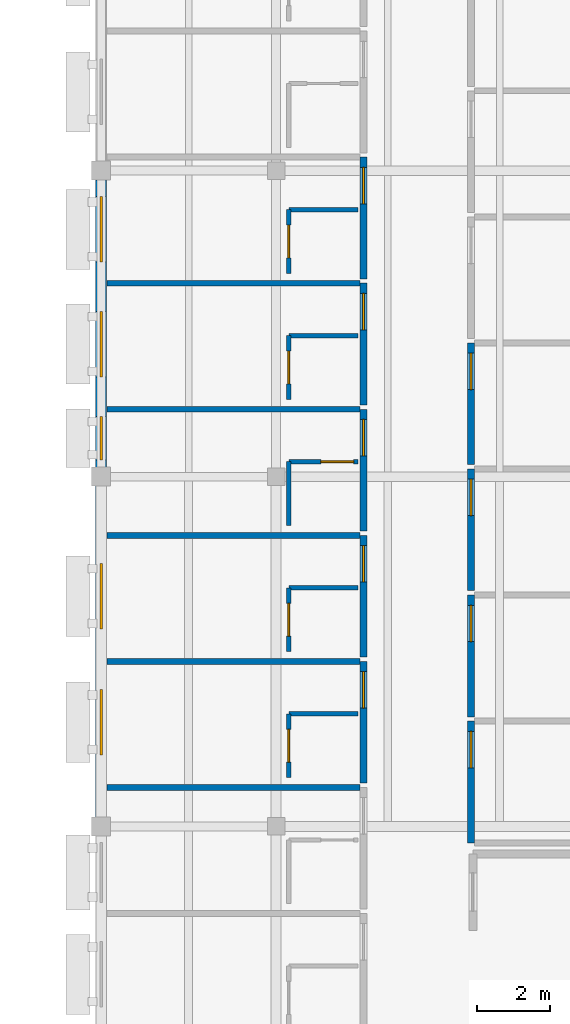
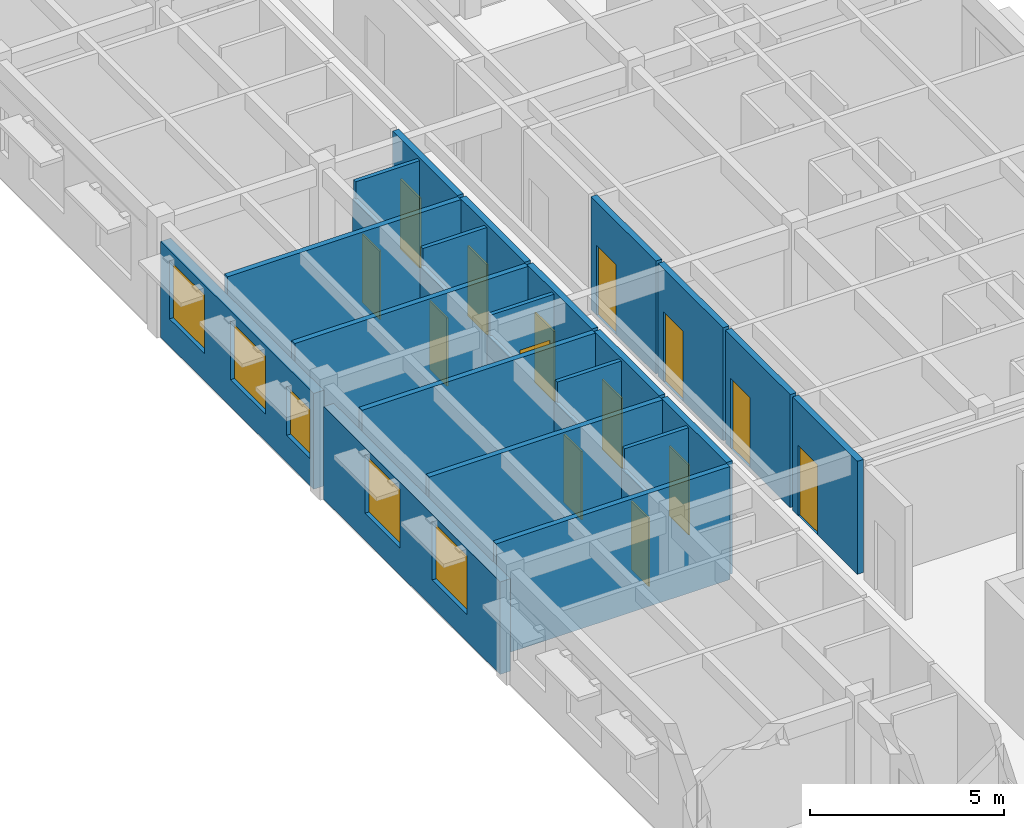
# One storey, part 10 of 20: 26 walls, 14 doors, 5 windows, 19 openings.
"""IFC4 building model written with IfcOpenShell, lengths in metres."""

from ifc_helpers import new_model, si_unit, direction, frame, frame_2d, origin, place, context, subcontext, project, spatial, rectangle, extrude, material, layer, layer_set, type_object, element, fill, save


model = new_model("IFC4")

# Units and contexts
model_context = context("Model", 3, precision=1e-05, world=origin(), true_north=direction((0.0, 1.0)))
body_context = subcontext(model_context, "Body", "Model", "MODEL_VIEW")
ifc_project = project(units=[si_unit("LENGTHUNIT", "METRE"), si_unit("AREAUNIT", "SQUARE_METRE"), si_unit("VOLUMEUNIT", "CUBIC_METRE"), si_unit("PLANEANGLEUNIT", "RADIAN"), si_unit("MASSUNIT", "GRAM", prefix="KILO")], contexts=[model_context])

# Site, building, storey
site_placement = place(None, origin())
site = spatial("IfcSite", under=ifc_project, at=site_placement, CompositionType="ELEMENT")
building_placement = place(site_placement, origin())
building = spatial("IfcBuilding", under=site, at=building_placement, Name="Veldera Park Congress Hotel", CompositionType="ELEMENT")
storey_placement = place(building_placement, frame((0.0, 0.0, 27.60009765625)))
storey = spatial("IfcBuildingStorey", under=building, at=storey_placement, Name="L06", CompositionType="ELEMENT", Elevation=27.60009765625)

# Wall, openings, windows
ifc_material_1 = material(Name="Cross-laminated timber CLT V2M1.1", Category="wood")
ifc_layer_1 = layer(ifc_material_1, 0.300048828125)
ifc_layer_set_1 = layer_set([ifc_layer_1], Name="Cross-laminated timber CLT V2M1.1")
wall_type_1 = type_object("IfcWallType", Name="EW-CLT300", PredefinedType="STANDARD", material=ifc_layer_set_1)
wall_1_placement = place(storey_placement, frame((60.800048828125, 18.342041015625, 0.0), z_axis=(0.0, 0.0, 1.0), x_axis=(0.0, -1.0, 0.0)))
wall_1 = element("IfcWall", 1, at=wall_1_placement, inside=storey, type_object=wall_type_1, Name="L06 Exterior Wall EW3-L06-0333", PredefinedType="STANDARD", context=body_context, shape_type="SweptSolid", body=[
    extrude(rectangle(XDim=7.884033203125, YDim=0.300048828125, at=frame_2d((3.94189453125, 0.0))), origin(), (0.0, 0.0, 1.0), 3.010009765625),
])
opening_1_placement = place(wall_1_placement, frame((6.488037109375, 0.0, 0.85009765625)))
opening_1 = element("IfcOpeningElement", 2, at=opening_1_placement, cuts=wall_1, Name="Opening WIN-1200", PredefinedType="OPENING", context=body_context, shape_type="SweptSolid", body=[
    extrude(rectangle(XDim=1.199951171875, YDim=1.550048828125, at=frame_2d((0.60009765625, 0.77490234375))), frame((0.0, 0.162109375, 0.0), z_axis=(0.0, -1.0, 0.0), x_axis=(1.0, 0.0, 0.0)), (0.0, 0.0, 1.0), 0.323974609375),
])
opening_2_placement = place(wall_1_placement, frame((3.60205078125, 0.0, 0.85009765625)))
opening_2 = element("IfcOpeningElement", 3, at=opening_2_placement, cuts=wall_1, Name="Opening WIN-1800", PredefinedType="OPENING", context=body_context, shape_type="SweptSolid", body=[
    extrude(rectangle(XDim=1.800048828125, YDim=1.85009765625, at=frame_2d((0.89990234375, 0.925048828125))), frame((0.0, 0.162109375, 0.0), z_axis=(0.0, -1.0, 0.0), x_axis=(1.0, 0.0, 0.0)), (0.0, 0.0, 1.0), 0.323974609375),
])
opening_3_placement = place(wall_1_placement, frame((0.4560546875, 0.0, 0.85009765625)))
opening_3 = element("IfcOpeningElement", 4, at=opening_3_placement, cuts=wall_1, Name="Opening WIN-1800", PredefinedType="OPENING", context=body_context, shape_type="SweptSolid", body=[
    extrude(rectangle(XDim=1.800048828125, YDim=1.85009765625, at=frame_2d((0.89990234375, 0.925048828125))), frame((0.0, 0.162109375, 0.0), z_axis=(0.0, -1.0, 0.0), x_axis=(1.0, 0.0, 0.0)), (0.0, 0.0, 1.0), 0.323974609375),
])
ifc_material_2 = material(Name="Low-E Triple Insulating Glass Unit (SHGC 0.22)", Category="glass")
window_type_1 = type_object("IfcWindowType", Name="WIN-1200", PartitioningType="SINGLE_PANEL", PredefinedType="WINDOW", material=ifc_material_2)
window_1_placement = place(opening_1_placement, origin())
window_1 = element("IfcWindow", 5, at=window_1_placement, inside=storey, type_object=window_type_1, Name="L06 Window WIN-1200 519", OverallHeight=1.550048828125, OverallWidth=1.199951171875, PartitioningType="SINGLE_PANEL", PredefinedType="WINDOW", context=body_context, shape_type="SweptSolid", body=[
    extrude(rectangle(XDim=1.199951171875, YDim=1.550048828125, at=frame_2d((0.60009765625, 0.77490234375))), frame((0.0, 0.030029296875, 0.0), z_axis=(0.0, -1.0, 0.0), x_axis=(1.0, 0.0, 0.0)), (0.0, 0.0, 1.0), 0.06005859375),
])
fill(opening_1, window_1)
window_type_2 = type_object("IfcWindowType", Name="WIN-1800", PartitioningType="SINGLE_PANEL", PredefinedType="WINDOW", material=ifc_material_2)
window_2_placement = place(opening_2_placement, origin())
window_2 = element("IfcWindow", 6, at=window_2_placement, inside=storey, type_object=window_type_2, Name="L06 Window WIN-1800 520", OverallHeight=1.85009765625, OverallWidth=1.800048828125, PartitioningType="SINGLE_PANEL", PredefinedType="WINDOW", context=body_context, shape_type="SweptSolid", body=[
    extrude(rectangle(XDim=1.800048828125, YDim=1.85009765625, at=frame_2d((0.89990234375, 0.925048828125))), frame((0.0, 0.030029296875, 0.0), z_axis=(0.0, -1.0, 0.0), x_axis=(1.0, 0.0, 0.0)), (0.0, 0.0, 1.0), 0.06005859375),
])
fill(opening_2, window_2)
window_3_placement = place(opening_3_placement, origin())
window_3 = element("IfcWindow", 7, at=window_3_placement, inside=storey, type_object=window_type_2, Name="L06 Window WIN-1800 521", OverallHeight=1.85009765625, OverallWidth=1.800048828125, PartitioningType="SINGLE_PANEL", PredefinedType="WINDOW", context=body_context, shape_type="SweptSolid", body=[
    extrude(rectangle(XDim=1.800048828125, YDim=1.85009765625, at=frame_2d((0.89990234375, 0.925048828125))), frame((0.0, 0.030029296875, 0.0), z_axis=(0.0, -1.0, 0.0), x_axis=(1.0, 0.0, 0.0)), (0.0, 0.0, 1.0), 0.06005859375),
])
fill(opening_3, window_3)

wall_2_placement = place(storey_placement, frame((60.800048828125, 9.94189453125, 0.0), z_axis=(0.0, 0.0, 1.0), x_axis=(0.0, -1.0, 0.0)))
wall_2 = element("IfcWall", 8, at=wall_2_placement, inside=storey, type_object=wall_type_1, Name="L06 Exterior Wall EW3-L06-0334", PredefinedType="STANDARD", context=body_context, shape_type="SweptSolid", body=[
    extrude(rectangle(XDim=9.083984375, YDim=0.300048828125, at=frame_2d((4.5419921875, 0.0))), origin(), (0.0, 0.0, 1.0), 2.909912109375),
])
opening_4_placement = place(wall_2_placement, frame((5.58203125, 0.0, 0.85009765625)))
opening_4 = element("IfcOpeningElement", 9, at=opening_4_placement, cuts=wall_2, Name="Opening WIN-1800", PredefinedType="OPENING", context=body_context, shape_type="SweptSolid", body=[
    extrude(rectangle(XDim=1.800048828125, YDim=1.85009765625, at=frame_2d((0.89990234375, 0.925048828125))), frame((0.0, 0.162109375, 0.0), z_axis=(0.0, -1.0, 0.0), x_axis=(1.0, 0.0, 0.0)), (0.0, 0.0, 1.0), 0.323974609375),
])
opening_5_placement = place(wall_2_placement, frame((2.1220703125, 0.0, 0.85009765625)))
opening_5 = element("IfcOpeningElement", 10, at=opening_5_placement, cuts=wall_2, Name="Opening WIN-1800", PredefinedType="OPENING", context=body_context, shape_type="SweptSolid", body=[
    extrude(rectangle(XDim=1.800048828125, YDim=1.85009765625, at=frame_2d((0.89990234375, 0.925048828125))), frame((0.0, 0.162109375, 0.0), z_axis=(0.0, -1.0, 0.0), x_axis=(1.0, 0.0, 0.0)), (0.0, 0.0, 1.0), 0.323974609375),
])
window_4_placement = place(opening_4_placement, origin())
window_4 = element("IfcWindow", 11, at=window_4_placement, inside=storey, type_object=window_type_2, Name="L06 Window WIN-1800 517", OverallHeight=1.85009765625, OverallWidth=1.800048828125, PartitioningType="SINGLE_PANEL", PredefinedType="WINDOW", context=body_context, shape_type="SweptSolid", body=[
    extrude(rectangle(XDim=1.800048828125, YDim=1.85009765625, at=frame_2d((0.89990234375, 0.925048828125))), frame((0.0, 0.030029296875, 0.0), z_axis=(0.0, -1.0, 0.0), x_axis=(1.0, 0.0, 0.0)), (0.0, 0.0, 1.0), 0.06005859375),
])
fill(opening_4, window_4)
window_5_placement = place(opening_5_placement, origin())
window_5 = element("IfcWindow", 12, at=window_5_placement, inside=storey, type_object=window_type_2, Name="L06 Window WIN-1800 518", OverallHeight=1.85009765625, OverallWidth=1.800048828125, PartitioningType="SINGLE_PANEL", PredefinedType="WINDOW", context=body_context, shape_type="SweptSolid", body=[
    extrude(rectangle(XDim=1.800048828125, YDim=1.85009765625, at=frame_2d((0.89990234375, 0.925048828125))), frame((0.0, 0.030029296875, 0.0), z_axis=(0.0, -1.0, 0.0), x_axis=(1.0, 0.0, 0.0)), (0.0, 0.0, 1.0), 0.06005859375),
])
fill(opening_5, window_5)

# Wall, opening, door
ifc_material_3 = material(Name="Fire-Rated Gypsum Board on Cold-Formed Steel Studs", Category="steel")
ifc_layer_2 = layer(ifc_material_3, 0.1201171875)
ifc_layer_set_2 = layer_set([ifc_layer_2], Name="Fire-Rated Gypsum Board on Cold-Formed Steel Studs")
wall_type_2 = type_object("IfcWallType", Name="IW-BATH120", PredefinedType="PARTITIONING", material=ifc_layer_set_2)
wall_3_placement = place(storey_placement, frame((65.949951171875, 1.93994140625, 0.0), z_axis=(0.0, 0.0, 1.0), x_axis=(0.0, 1.0, 0.0)))
wall_3 = element("IfcWall", 13, at=wall_3_placement, inside=storey, type_object=wall_type_2, Name="L06 Partition Wall IW3-L06-01230", PredefinedType="PARTITIONING", context=body_context, shape_type="SweptSolid", body=[
    extrude(rectangle(XDim=1.75, YDim=0.1201171875, at=frame_2d((0.875, 0.0))), origin(), (0.0, 0.0, 1.0), 2.909912109375),
])
opening_6_placement = place(wall_3_placement, frame((0.425048828125, 0.0, 0.0)))
opening_6 = element("IfcOpeningElement", 14, at=opening_6_placement, cuts=wall_3, Name="Opening ID-BATH090", PredefinedType="OPENING", context=body_context, shape_type="SweptSolid", body=[
    extrude(rectangle(XDim=0.89990234375, YDim=2.14990234375, at=frame_2d((0.449951171875, 1.074951171875))), frame((0.0, 0.072021484375, 0.0), z_axis=(0.0, -1.0, 0.0), x_axis=(1.0, 0.0, 0.0)), (0.0, 0.0, 1.0), 0.14404296875),
])
ifc_material_4 = material(Name="Solid Core White Oak Architectural Door", Category="wood")
door_type_1 = type_object("IfcDoorType", Name="ID-BATH090", OperationType="NOTDEFINED", PredefinedType="DOOR", material=ifc_material_4)
door_1_placement = place(opening_6_placement, origin())
door_1 = element("IfcDoor", 15, at=door_1_placement, inside=storey, type_object=door_type_1, Name="L06 En-suite 187 Door ID3-L06-0513 (DR3-ID3-L06-0513)", OperationType="SINGLE_SWING_LEFT", OverallHeight=2.14990234375, OverallWidth=0.89990234375, PredefinedType="DOOR", context=body_context, shape_type="SweptSolid", body=[
    extrude(rectangle(XDim=0.89990234375, YDim=2.14990234375, at=frame_2d((0.449951171875, 1.074951171875))), frame((0.0, 0.02490234375, 0.0), z_axis=(0.0, -1.0, 0.0), x_axis=(1.0, 0.0, 0.0)), (0.0, 0.0, 1.0), 0.050048828125),
])
fill(opening_6, door_1)

# Wall
wall_4_placement = place(storey_placement, frame((65.949951171875, 3.68994140625, 0.0), z_axis=(0.0, 0.0, 1.0), x_axis=(1.0, 0.0, 0.0)))
element("IfcWall", 16, at=wall_4_placement, inside=storey, type_object=wall_type_2, Name="L06 Partition Wall IW3-L06-01231", PredefinedType="PARTITIONING", context=body_context, shape_type="SweptSolid", body=[
    extrude(rectangle(XDim=1.900146484375, YDim=0.1201171875, at=frame_2d((0.9501953125, 0.0))), origin(), (0.0, 0.0, 1.0), 3.554931640625),
])

# Wall, opening, door
wall_5_placement = place(storey_placement, frame((65.949951171875, 5.39990234375, 0.0), z_axis=(0.0, 0.0, 1.0), x_axis=(0.0, 1.0, 0.0)))
wall_5 = element("IfcWall", 17, at=wall_5_placement, inside=storey, type_object=wall_type_2, Name="L06 Partition Wall IW3-L06-01234", PredefinedType="PARTITIONING", context=body_context, shape_type="SweptSolid", body=[
    extrude(rectangle(XDim=1.75, YDim=0.1201171875, at=frame_2d((0.875, 0.0))), origin(), (0.0, 0.0, 1.0), 2.909912109375),
])
opening_7_placement = place(wall_5_placement, frame((0.425048828125, 0.0, 0.0)))
opening_7 = element("IfcOpeningElement", 18, at=opening_7_placement, cuts=wall_5, Name="Opening ID-BATH090", PredefinedType="OPENING", context=body_context, shape_type="SweptSolid", body=[
    extrude(rectangle(XDim=0.89990234375, YDim=2.14990234375, at=frame_2d((0.449951171875, 1.074951171875))), frame((0.0, 0.072021484375, 0.0), z_axis=(0.0, -1.0, 0.0), x_axis=(1.0, 0.0, 0.0)), (0.0, 0.0, 1.0), 0.14404296875),
])
door_2_placement = place(opening_7_placement, origin())
door_2 = element("IfcDoor", 19, at=door_2_placement, inside=storey, type_object=door_type_1, Name="L06 En-suite 188 Door ID3-L06-0515 (DR3-ID3-L06-0515)", OperationType="SINGLE_SWING_LEFT", OverallHeight=2.14990234375, OverallWidth=0.89990234375, PredefinedType="DOOR", context=body_context, shape_type="SweptSolid", body=[
    extrude(rectangle(XDim=0.89990234375, YDim=2.14990234375, at=frame_2d((0.449951171875, 1.074951171875))), frame((0.0, 0.02490234375, 0.0), z_axis=(0.0, -1.0, 0.0), x_axis=(1.0, 0.0, 0.0)), (0.0, 0.0, 1.0), 0.050048828125),
])
fill(opening_7, door_2)

# Walls
wall_6_placement = place(storey_placement, frame((65.949951171875, 7.14990234375, 0.0), z_axis=(0.0, 0.0, 1.0), x_axis=(1.0, 0.0, 0.0)))
element("IfcWall", 20, at=wall_6_placement, inside=storey, type_object=wall_type_2, Name="L06 Partition Wall IW3-L06-01235", PredefinedType="PARTITIONING", context=body_context, shape_type="SweptSolid", body=[
    extrude(rectangle(XDim=1.900146484375, YDim=0.1201171875, at=frame_2d((0.9501953125, 0.0))), origin(), (0.0, 0.0, 1.0), 3.554931640625),
])
wall_7_placement = place(storey_placement, frame((65.949951171875, 8.860107421875, 0.0), z_axis=(0.0, 0.0, 1.0), x_axis=(0.0, 1.0, 0.0)))
element("IfcWall", 21, at=wall_7_placement, inside=storey, type_object=wall_type_2, Name="L06 Partition Wall IW3-L06-01238", PredefinedType="PARTITIONING", context=body_context, shape_type="SweptSolid", body=[
    extrude(rectangle(XDim=1.75, YDim=0.1201171875, at=frame_2d((0.875, 0.0))), origin(), (0.0, 0.0, 1.0), 2.909912109375),
])

# Wall, opening, door
wall_8_placement = place(storey_placement, frame((65.949951171875, 10.610107421875, 0.0), z_axis=(0.0, 0.0, 1.0), x_axis=(1.0, 0.0, 0.0)))
wall_8 = element("IfcWall", 22, at=wall_8_placement, inside=storey, type_object=wall_type_2, Name="L06 Partition Wall IW3-L06-01239", PredefinedType="PARTITIONING", context=body_context, shape_type="SweptSolid", body=[
    extrude(rectangle(XDim=1.900146484375, YDim=0.1201171875, at=frame_2d((0.9501953125, 0.0))), origin(), (0.0, 0.0, 1.0), 3.554931640625),
])
opening_8_placement = place(wall_8_placement, frame((0.8798828125, 0.0, 0.0)))
opening_8 = element("IfcOpeningElement", 23, at=opening_8_placement, cuts=wall_8, Name="Opening ID-BATH090", PredefinedType="OPENING", context=body_context, shape_type="SweptSolid", body=[
    extrude(rectangle(XDim=0.89990234375, YDim=2.14990234375, at=frame_2d((0.449951171875, 1.074951171875))), frame((0.0, 0.072021484375, 0.0), z_axis=(0.0, -1.0, 0.0), x_axis=(1.0, 0.0, 0.0)), (0.0, 0.0, 1.0), 0.14404296875),
])
door_3_placement = place(opening_8_placement, origin())
door_3 = element("IfcDoor", 24, at=door_3_placement, inside=storey, type_object=door_type_1, Name="L06 En-suite 189 Door ID3-L06-0517 (DR3-ID3-L06-0517)", OperationType="SINGLE_SWING_LEFT", OverallHeight=2.14990234375, OverallWidth=0.89990234375, PredefinedType="DOOR", context=body_context, shape_type="SweptSolid", body=[
    extrude(rectangle(XDim=0.89990234375, YDim=2.14990234375, at=frame_2d((0.449951171875, 1.074951171875))), frame((0.0, 0.02490234375, 0.0), z_axis=(0.0, -1.0, 0.0), x_axis=(1.0, 0.0, 0.0)), (0.0, 0.0, 1.0), 0.050048828125),
])
fill(opening_8, door_3)

wall_9_placement = place(storey_placement, frame((65.949951171875, 12.320068359375, 0.0), z_axis=(0.0, 0.0, 1.0), x_axis=(0.0, 1.0, 0.0)))
wall_9 = element("IfcWall", 25, at=wall_9_placement, inside=storey, type_object=wall_type_2, Name="L06 Partition Wall IW3-L06-01242", PredefinedType="PARTITIONING", context=body_context, shape_type="SweptSolid", body=[
    extrude(rectangle(XDim=1.75, YDim=0.1201171875, at=frame_2d((0.875, 0.0))), origin(), (0.0, 0.0, 1.0), 3.010009765625),
])
opening_9_placement = place(wall_9_placement, frame((0.425048828125, 0.0, 0.0)))
opening_9 = element("IfcOpeningElement", 26, at=opening_9_placement, cuts=wall_9, Name="Opening ID-BATH090", PredefinedType="OPENING", context=body_context, shape_type="SweptSolid", body=[
    extrude(rectangle(XDim=0.89990234375, YDim=2.14990234375, at=frame_2d((0.449951171875, 1.074951171875))), frame((0.0, 0.072021484375, 0.0), z_axis=(0.0, -1.0, 0.0), x_axis=(1.0, 0.0, 0.0)), (0.0, 0.0, 1.0), 0.14404296875),
])
door_4_placement = place(opening_9_placement, origin())
door_4 = element("IfcDoor", 27, at=door_4_placement, inside=storey, type_object=door_type_1, Name="L06 En-suite 190 Door ID3-L06-0519 (DR3-ID3-L06-0519)", OperationType="SINGLE_SWING_LEFT", OverallHeight=2.14990234375, OverallWidth=0.89990234375, PredefinedType="DOOR", context=body_context, shape_type="SweptSolid", body=[
    extrude(rectangle(XDim=0.89990234375, YDim=2.14990234375, at=frame_2d((0.449951171875, 1.074951171875))), frame((0.0, 0.02490234375, 0.0), z_axis=(0.0, -1.0, 0.0), x_axis=(1.0, 0.0, 0.0)), (0.0, 0.0, 1.0), 0.050048828125),
])
fill(opening_9, door_4)

# Wall
wall_10_placement = place(storey_placement, frame((65.949951171875, 14.070068359375, 0.0), z_axis=(0.0, 0.0, 1.0), x_axis=(1.0, 0.0, 0.0)))
element("IfcWall", 28, at=wall_10_placement, inside=storey, type_object=wall_type_2, Name="L06 Partition Wall IW3-L06-01243", PredefinedType="PARTITIONING", context=body_context, shape_type="SweptSolid", body=[
    extrude(rectangle(XDim=1.900146484375, YDim=0.1201171875, at=frame_2d((0.9501953125, 0.0))), origin(), (0.0, 0.0, 1.0), 3.554931640625),
])

# Wall, opening, door
wall_11_placement = place(storey_placement, frame((65.949951171875, 15.780029296875, 0.0), z_axis=(0.0, 0.0, 1.0), x_axis=(0.0, 1.0, 0.0)))
wall_11 = element("IfcWall", 29, at=wall_11_placement, inside=storey, type_object=wall_type_2, Name="L06 Partition Wall IW3-L06-01246", PredefinedType="PARTITIONING", context=body_context, shape_type="SweptSolid", body=[
    extrude(rectangle(XDim=1.75, YDim=0.1201171875, at=frame_2d((0.875, 0.0))), origin(), (0.0, 0.0, 1.0), 3.010009765625),
])
opening_10_placement = place(wall_11_placement, frame((0.425048828125, 0.0, 0.0)))
opening_10 = element("IfcOpeningElement", 30, at=opening_10_placement, cuts=wall_11, Name="Opening ID-BATH090", PredefinedType="OPENING", context=body_context, shape_type="SweptSolid", body=[
    extrude(rectangle(XDim=0.89990234375, YDim=2.14990234375, at=frame_2d((0.449951171875, 1.074951171875))), frame((0.0, 0.072021484375, 0.0), z_axis=(0.0, -1.0, 0.0), x_axis=(1.0, 0.0, 0.0)), (0.0, 0.0, 1.0), 0.14404296875),
])
door_5_placement = place(opening_10_placement, origin())
door_5 = element("IfcDoor", 31, at=door_5_placement, inside=storey, type_object=door_type_1, Name="L06 En-suite 191 Door ID3-L06-0521 (DR3-ID3-L06-0521)", OperationType="SINGLE_SWING_LEFT", OverallHeight=2.14990234375, OverallWidth=0.89990234375, PredefinedType="DOOR", context=body_context, shape_type="SweptSolid", body=[
    extrude(rectangle(XDim=0.89990234375, YDim=2.14990234375, at=frame_2d((0.449951171875, 1.074951171875))), frame((0.0, 0.02490234375, 0.0), z_axis=(0.0, -1.0, 0.0), x_axis=(1.0, 0.0, 0.0)), (0.0, 0.0, 1.0), 0.050048828125),
])
fill(opening_10, door_5)

# Wall
wall_12_placement = place(storey_placement, frame((65.949951171875, 17.530029296875, 0.0), z_axis=(0.0, 0.0, 1.0), x_axis=(1.0, 0.0, 0.0)))
element("IfcWall", 32, at=wall_12_placement, inside=storey, type_object=wall_type_2, Name="L06 Partition Wall IW3-L06-01247", PredefinedType="PARTITIONING", context=body_context, shape_type="SweptSolid", body=[
    extrude(rectangle(XDim=1.900146484375, YDim=0.1201171875, at=frame_2d((0.9501953125, 0.0))), origin(), (0.0, 0.0, 1.0), 3.554931640625),
])

# Wall, opening, door
ifc_layer_3 = layer(ifc_material_3, 0.179931640625)
ifc_layer_set_3 = layer_set([ifc_layer_3], Name="Fire-Rated Gypsum Board on Cold-Formed Steel Studs")
wall_type_3 = type_object("IfcWallType", Name="IW-CORR180", PredefinedType="PARTITIONING", material=ifc_layer_set_3)
wall_13_placement = place(storey_placement, frame((68.0, 1.7900390625, 0.0), z_axis=(0.0, 0.0, 1.0), x_axis=(0.0, 1.0, 0.0)))
wall_13 = element("IfcWall", 33, at=wall_13_placement, inside=storey, type_object=wall_type_3, Name="L06 Corridor Wall IW3-L06-01228", PredefinedType="PARTITIONING", context=body_context, shape_type="SweptSolid", body=[
    extrude(rectangle(XDim=3.33984375, YDim=0.179931640625, at=frame_2d((1.669921875, 0.0))), origin(), (0.0, 0.0, 1.0), 3.554931640625),
])
opening_11_placement = place(wall_13_placement, frame((2.06005859375, 0.0, 0.0)))
opening_11 = element("IfcOpeningElement", 34, at=opening_11_placement, cuts=wall_13, Name="Opening ID-UNIT100", PredefinedType="OPENING", context=body_context, shape_type="SweptSolid", body=[
    extrude(rectangle(XDim=1.0, YDim=2.199951171875, at=frame_2d((0.5, 1.10009765625))), frame((0.0, 0.10205078125, 0.0), z_axis=(0.0, -1.0, 0.0), x_axis=(1.0, 0.0, 0.0)), (0.0, 0.0, 1.0), 0.203857421875),
])
door_type_2 = type_object("IfcDoorType", Name="ID-UNIT100", OperationType="NOTDEFINED", PredefinedType="DOOR", material=ifc_material_4)
door_6_placement = place(opening_11_placement, origin())
door_6 = element("IfcDoor", 35, at=door_6_placement, inside=storey, type_object=door_type_2, Name="L06 Guestroom 187 Entry Door (DR3-UD3-L06-187)", OperationType="SINGLE_SWING_RIGHT", OverallHeight=2.199951171875, OverallWidth=1.0, PredefinedType="DOOR", context=body_context, shape_type="SweptSolid", body=[
    extrude(rectangle(XDim=1.0, YDim=2.199951171875, at=frame_2d((0.5, 1.10009765625))), frame((0.0, 0.02490234375, 0.0), z_axis=(0.0, -1.0, 0.0), x_axis=(1.0, 0.0, 0.0)), (0.0, 0.0, 1.0), 0.050048828125),
])
fill(opening_11, door_6)

wall_14_placement = place(storey_placement, frame((68.0, 5.25, 0.0), z_axis=(0.0, 0.0, 1.0), x_axis=(0.0, 1.0, 0.0)))
wall_14 = element("IfcWall", 36, at=wall_14_placement, inside=storey, type_object=wall_type_3, Name="L06 Corridor Wall IW3-L06-01232", PredefinedType="PARTITIONING", context=body_context, shape_type="SweptSolid", body=[
    extrude(rectangle(XDim=3.340087890625, YDim=0.179931640625, at=frame_2d((1.669921875, 0.0))), origin(), (0.0, 0.0, 1.0), 3.554931640625),
])
opening_12_placement = place(wall_14_placement, frame((2.06005859375, 0.0, 0.0)))
opening_12 = element("IfcOpeningElement", 37, at=opening_12_placement, cuts=wall_14, Name="Opening ID-UNIT100", PredefinedType="OPENING", context=body_context, shape_type="SweptSolid", body=[
    extrude(rectangle(XDim=1.0, YDim=2.199951171875, at=frame_2d((0.5, 1.10009765625))), frame((0.0, 0.10205078125, 0.0), z_axis=(0.0, -1.0, 0.0), x_axis=(1.0, 0.0, 0.0)), (0.0, 0.0, 1.0), 0.203857421875),
])
door_7_placement = place(opening_12_placement, origin())
door_7 = element("IfcDoor", 38, at=door_7_placement, inside=storey, type_object=door_type_2, Name="L06 Guestroom 188 Entry Door (DR3-UD3-L06-188)", OperationType="SINGLE_SWING_RIGHT", OverallHeight=2.199951171875, OverallWidth=1.0, PredefinedType="DOOR", context=body_context, shape_type="SweptSolid", body=[
    extrude(rectangle(XDim=1.0, YDim=2.199951171875, at=frame_2d((0.5, 1.10009765625))), frame((0.0, 0.02490234375, 0.0), z_axis=(0.0, -1.0, 0.0), x_axis=(1.0, 0.0, 0.0)), (0.0, 0.0, 1.0), 0.050048828125),
])
fill(opening_12, door_7)

wall_15_placement = place(storey_placement, frame((68.0, 8.7099609375, 0.0), z_axis=(0.0, 0.0, 1.0), x_axis=(0.0, 1.0, 0.0)))
wall_15 = element("IfcWall", 39, at=wall_15_placement, inside=storey, type_object=wall_type_3, Name="L06 Corridor Wall IW3-L06-01236", PredefinedType="PARTITIONING", context=body_context, shape_type="SweptSolid", body=[
    extrude(rectangle(XDim=3.340087890625, YDim=0.179931640625, at=frame_2d((1.669921875, 0.0))), origin(), (0.0, 0.0, 1.0), 3.554931640625),
])
opening_13_placement = place(wall_15_placement, frame((2.06005859375, 0.0, 0.0)))
opening_13 = element("IfcOpeningElement", 40, at=opening_13_placement, cuts=wall_15, Name="Opening ID-UNIT100", PredefinedType="OPENING", context=body_context, shape_type="SweptSolid", body=[
    extrude(rectangle(XDim=1.0, YDim=2.199951171875, at=frame_2d((0.5, 1.10009765625))), frame((0.0, 0.10205078125, 0.0), z_axis=(0.0, -1.0, 0.0), x_axis=(1.0, 0.0, 0.0)), (0.0, 0.0, 1.0), 0.203857421875),
])
door_8_placement = place(opening_13_placement, origin())
door_8 = element("IfcDoor", 41, at=door_8_placement, inside=storey, type_object=door_type_2, Name="L06 Guestroom 189 Entry Door (DR3-UD3-L06-189)", OperationType="SINGLE_SWING_RIGHT", OverallHeight=2.199951171875, OverallWidth=1.0, PredefinedType="DOOR", context=body_context, shape_type="SweptSolid", body=[
    extrude(rectangle(XDim=1.0, YDim=2.199951171875, at=frame_2d((0.5, 1.10009765625))), frame((0.0, 0.02490234375, 0.0), z_axis=(0.0, -1.0, 0.0), x_axis=(1.0, 0.0, 0.0)), (0.0, 0.0, 1.0), 0.050048828125),
])
fill(opening_13, door_8)

wall_16_placement = place(storey_placement, frame((68.0, 12.169921875, 0.0), z_axis=(0.0, 0.0, 1.0), x_axis=(0.0, 1.0, 0.0)))
wall_16 = element("IfcWall", 42, at=wall_16_placement, inside=storey, type_object=wall_type_3, Name="L06 Corridor Wall IW3-L06-01240", PredefinedType="PARTITIONING", context=body_context, shape_type="SweptSolid", body=[
    extrude(rectangle(XDim=3.340087890625, YDim=0.179931640625, at=frame_2d((1.669921875, 0.0))), origin(), (0.0, 0.0, 1.0), 3.554931640625),
])
opening_14_placement = place(wall_16_placement, frame((2.06005859375, 0.0, 0.0)))
opening_14 = element("IfcOpeningElement", 43, at=opening_14_placement, cuts=wall_16, Name="Opening ID-UNIT100", PredefinedType="OPENING", context=body_context, shape_type="SweptSolid", body=[
    extrude(rectangle(XDim=1.0, YDim=2.199951171875, at=frame_2d((0.5, 1.10009765625))), frame((0.0, 0.10205078125, 0.0), z_axis=(0.0, -1.0, 0.0), x_axis=(1.0, 0.0, 0.0)), (0.0, 0.0, 1.0), 0.203857421875),
])
door_9_placement = place(opening_14_placement, origin())
door_9 = element("IfcDoor", 44, at=door_9_placement, inside=storey, type_object=door_type_2, Name="L06 Guestroom 190 Entry Door (DR3-UD3-L06-190)", OperationType="SINGLE_SWING_RIGHT", OverallHeight=2.199951171875, OverallWidth=1.0, PredefinedType="DOOR", context=body_context, shape_type="SweptSolid", body=[
    extrude(rectangle(XDim=1.0, YDim=2.199951171875, at=frame_2d((0.5, 1.10009765625))), frame((0.0, 0.02490234375, 0.0), z_axis=(0.0, -1.0, 0.0), x_axis=(1.0, 0.0, 0.0)), (0.0, 0.0, 1.0), 0.050048828125),
])
fill(opening_14, door_9)

wall_17_placement = place(storey_placement, frame((68.0, 15.6298828125, 0.0), z_axis=(0.0, 0.0, 1.0), x_axis=(0.0, 1.0, 0.0)))
wall_17 = element("IfcWall", 45, at=wall_17_placement, inside=storey, type_object=wall_type_3, Name="L06 Corridor Wall IW3-L06-01244", PredefinedType="PARTITIONING", context=body_context, shape_type="SweptSolid", body=[
    extrude(rectangle(XDim=3.340087890625, YDim=0.179931640625, at=frame_2d((1.669921875, 0.0))), origin(), (0.0, 0.0, 1.0), 3.554931640625),
])
opening_15_placement = place(wall_17_placement, frame((2.06005859375, 0.0, 0.0)))
opening_15 = element("IfcOpeningElement", 46, at=opening_15_placement, cuts=wall_17, Name="Opening ID-UNIT100", PredefinedType="OPENING", context=body_context, shape_type="SweptSolid", body=[
    extrude(rectangle(XDim=1.0, YDim=2.199951171875, at=frame_2d((0.5, 1.10009765625))), frame((0.0, 0.10205078125, 0.0), z_axis=(0.0, -1.0, 0.0), x_axis=(1.0, 0.0, 0.0)), (0.0, 0.0, 1.0), 0.203857421875),
])
door_10_placement = place(opening_15_placement, origin())
door_10 = element("IfcDoor", 47, at=door_10_placement, inside=storey, type_object=door_type_2, Name="L06 Guestroom 191 Entry Door (DR3-UD3-L06-191)", OperationType="SINGLE_SWING_RIGHT", OverallHeight=2.199951171875, OverallWidth=1.0, PredefinedType="DOOR", context=body_context, shape_type="SweptSolid", body=[
    extrude(rectangle(XDim=1.0, YDim=2.199951171875, at=frame_2d((0.5, 1.10009765625))), frame((0.0, 0.02490234375, 0.0), z_axis=(0.0, -1.0, 0.0), x_axis=(1.0, 0.0, 0.0)), (0.0, 0.0, 1.0), 0.050048828125),
])
fill(opening_15, door_10)

wall_18_placement = place(storey_placement, frame((70.949951171875, 3.489990234375, 0.0), z_axis=(0.0, 0.0, 1.0), x_axis=(0.0, -1.0, 0.0)))
wall_18 = element("IfcWall", 48, at=wall_18_placement, inside=storey, type_object=wall_type_3, Name="L06 Corridor Wall IW3-L06-01296", PredefinedType="PARTITIONING", context=body_context, shape_type="SweptSolid", body=[
    extrude(rectangle(XDim=3.340087890625, YDim=0.179931640625, at=frame_2d((1.669921875, 0.0))), origin(), (0.0, 0.0, 1.0), 3.554931640625),
])
opening_16_placement = place(wall_18_placement, frame((0.280029296875, 0.0, 0.0)))
opening_16 = element("IfcOpeningElement", 49, at=opening_16_placement, cuts=wall_18, Name="Opening ID-UNIT100", PredefinedType="OPENING", context=body_context, shape_type="SweptSolid", body=[
    extrude(rectangle(XDim=1.0, YDim=2.199951171875, at=frame_2d((0.5, 1.10009765625))), frame((0.0, 0.10205078125, 0.0), z_axis=(0.0, -1.0, 0.0), x_axis=(1.0, 0.0, 0.0)), (0.0, 0.0, 1.0), 0.203857421875),
])
door_11_placement = place(opening_16_placement, origin())
door_11 = element("IfcDoor", 50, at=door_11_placement, inside=storey, type_object=door_type_2, Name="L06 Guestroom 202 Entry Door (DR3-UD3-L06-202)", OperationType="SINGLE_SWING_RIGHT", OverallHeight=2.199951171875, OverallWidth=1.0, PredefinedType="DOOR", context=body_context, shape_type="SweptSolid", body=[
    extrude(rectangle(XDim=1.0, YDim=2.199951171875, at=frame_2d((0.5, 1.10009765625))), frame((0.0, 0.02490234375, 0.0), z_axis=(0.0, -1.0, 0.0), x_axis=(1.0, 0.0, 0.0)), (0.0, 0.0, 1.0), 0.050048828125),
])
fill(opening_16, door_11)

wall_19_placement = place(storey_placement, frame((70.949951171875, 6.949951171875, 0.0), z_axis=(0.0, 0.0, 1.0), x_axis=(0.0, -1.0, 0.0)))
wall_19 = element("IfcWall", 51, at=wall_19_placement, inside=storey, type_object=wall_type_3, Name="L06 Corridor Wall IW3-L06-01302", PredefinedType="PARTITIONING", context=body_context, shape_type="SweptSolid", body=[
    extrude(rectangle(XDim=3.33984375, YDim=0.179931640625, at=frame_2d((1.669921875, 0.0))), origin(), (0.0, 0.0, 1.0), 3.554931640625),
])
opening_17_placement = place(wall_19_placement, frame((0.280029296875, 0.0, 0.0)))
opening_17 = element("IfcOpeningElement", 52, at=opening_17_placement, cuts=wall_19, Name="Opening ID-UNIT100", PredefinedType="OPENING", context=body_context, shape_type="SweptSolid", body=[
    extrude(rectangle(XDim=1.0, YDim=2.199951171875, at=frame_2d((0.5, 1.10009765625))), frame((0.0, 0.10205078125, 0.0), z_axis=(0.0, -1.0, 0.0), x_axis=(1.0, 0.0, 0.0)), (0.0, 0.0, 1.0), 0.203857421875),
])
door_12_placement = place(opening_17_placement, origin())
door_12 = element("IfcDoor", 53, at=door_12_placement, inside=storey, type_object=door_type_2, Name="L06 Guestroom 203 Entry Door (DR3-UD3-L06-203)", OperationType="SINGLE_SWING_RIGHT", OverallHeight=2.199951171875, OverallWidth=1.0, PredefinedType="DOOR", context=body_context, shape_type="SweptSolid", body=[
    extrude(rectangle(XDim=1.0, YDim=2.199951171875, at=frame_2d((0.5, 1.10009765625))), frame((0.0, 0.02490234375, 0.0), z_axis=(0.0, -1.0, 0.0), x_axis=(1.0, 0.0, 0.0)), (0.0, 0.0, 1.0), 0.050048828125),
])
fill(opening_17, door_12)

wall_20_placement = place(storey_placement, frame((70.949951171875, 10.409912109375, 0.0), z_axis=(0.0, 0.0, 1.0), x_axis=(0.0, -1.0, 0.0)))
wall_20 = element("IfcWall", 54, at=wall_20_placement, inside=storey, type_object=wall_type_3, Name="L06 Corridor Wall IW3-L06-01307", PredefinedType="PARTITIONING", context=body_context, shape_type="SweptSolid", body=[
    extrude(rectangle(XDim=3.33984375, YDim=0.179931640625, at=frame_2d((1.669921875, 0.0))), origin(), (0.0, 0.0, 1.0), 3.554931640625),
])
opening_18_placement = place(wall_20_placement, frame((0.280029296875, 0.0, 0.0)))
opening_18 = element("IfcOpeningElement", 55, at=opening_18_placement, cuts=wall_20, Name="Opening ID-UNIT100", PredefinedType="OPENING", context=body_context, shape_type="SweptSolid", body=[
    extrude(rectangle(XDim=1.0, YDim=2.199951171875, at=frame_2d((0.5, 1.10009765625))), frame((0.0, 0.10205078125, 0.0), z_axis=(0.0, -1.0, 0.0), x_axis=(1.0, 0.0, 0.0)), (0.0, 0.0, 1.0), 0.203857421875),
])
door_13_placement = place(opening_18_placement, origin())
door_13 = element("IfcDoor", 56, at=door_13_placement, inside=storey, type_object=door_type_2, Name="L06 Guestroom 204 Entry Door (DR3-UD3-L06-204)", OperationType="SINGLE_SWING_RIGHT", OverallHeight=2.199951171875, OverallWidth=1.0, PredefinedType="DOOR", context=body_context, shape_type="SweptSolid", body=[
    extrude(rectangle(XDim=1.0, YDim=2.199951171875, at=frame_2d((0.5, 1.10009765625))), frame((0.0, 0.02490234375, 0.0), z_axis=(0.0, -1.0, 0.0), x_axis=(1.0, 0.0, 0.0)), (0.0, 0.0, 1.0), 0.050048828125),
])
fill(opening_18, door_13)

wall_21_placement = place(storey_placement, frame((70.949951171875, 13.8701171875, 0.0), z_axis=(0.0, 0.0, 1.0), x_axis=(0.0, -1.0, 0.0)))
wall_21 = element("IfcWall", 57, at=wall_21_placement, inside=storey, type_object=wall_type_3, Name="L06 Corridor Wall IW3-L06-01312", PredefinedType="PARTITIONING", context=body_context, shape_type="SweptSolid", body=[
    extrude(rectangle(XDim=3.340087890625, YDim=0.179931640625, at=frame_2d((1.669921875, 0.0))), origin(), (0.0, 0.0, 1.0), 3.554931640625),
])
opening_19_placement = place(wall_21_placement, frame((0.280029296875, 0.0, 0.0)))
opening_19 = element("IfcOpeningElement", 58, at=opening_19_placement, cuts=wall_21, Name="Opening ID-UNIT100", PredefinedType="OPENING", context=body_context, shape_type="SweptSolid", body=[
    extrude(rectangle(XDim=1.0, YDim=2.199951171875, at=frame_2d((0.5, 1.10009765625))), frame((0.0, 0.10205078125, 0.0), z_axis=(0.0, -1.0, 0.0), x_axis=(1.0, 0.0, 0.0)), (0.0, 0.0, 1.0), 0.203857421875),
])
door_14_placement = place(opening_19_placement, origin())
door_14 = element("IfcDoor", 59, at=door_14_placement, inside=storey, type_object=door_type_2, Name="L06 Guestroom 205 Entry Door (DR3-UD3-L06-205)", OperationType="SINGLE_SWING_RIGHT", OverallHeight=2.199951171875, OverallWidth=1.0, PredefinedType="DOOR", context=body_context, shape_type="SweptSolid", body=[
    extrude(rectangle(XDim=1.0, YDim=2.199951171875, at=frame_2d((0.5, 1.10009765625))), frame((0.0, 0.02490234375, 0.0), z_axis=(0.0, -1.0, 0.0), x_axis=(1.0, 0.0, 0.0)), (0.0, 0.0, 1.0), 0.050048828125),
])
fill(opening_19, door_14)

# Walls
ifc_layer_4 = layer(ifc_material_1, 0.159912109375)
ifc_layer_set_4 = layer_set([ifc_layer_4], Name="Cross-laminated timber CLT V2M1.1")
wall_type_4 = type_object("IfcWallType", Name="IW-UNIT160", PredefinedType="PARTITIONING", material=ifc_layer_set_4)
for number, where, z_axis, x_axis, name in (
    (60, (60.9599609375, 1.669921875, 0.0), (0.0, 0.0, 1.0), (1.0, 0.0, 0.0), "L06 Partition Wall IW3-L06-01225"),
    (61, (60.9599609375, 5.1298828125, 0.0), (0.0, 0.0, 1.0), (1.0, 0.0, 0.0), "L06 Partition Wall IW3-L06-01229"),
    (62, (60.9599609375, 8.590087890625, 0.0), (0.0, 0.0, 1.0), (1.0, 0.0, 0.0), "L06 Partition Wall IW3-L06-01233"),
    (63, (60.9599609375, 12.050048828125, 0.0), (0.0, 0.0, 1.0), (1.0, 0.0, 0.0), "L06 Partition Wall IW3-L06-01237"),
    (64, (60.9599609375, 15.510009765625, 0.0), (0.0, 0.0, 1.0), (1.0, 0.0, 0.0), "L06 Partition Wall IW3-L06-01241"),
):
    element("IfcWall", number, at=place(storey_placement, frame(where, z_axis=z_axis, x_axis=x_axis)), inside=storey, type_object=wall_type_4, Name=name, PredefinedType="PARTITIONING", context=body_context, shape_type="SweptSolid", body=[
        extrude(rectangle(XDim=6.93994140625, YDim=0.159912109375, at=frame_2d((3.469970703125, 0.0))), origin(), (0.0, 0.0, 1.0), 3.554931640625),
    ])

save(model, "model.ifc")
